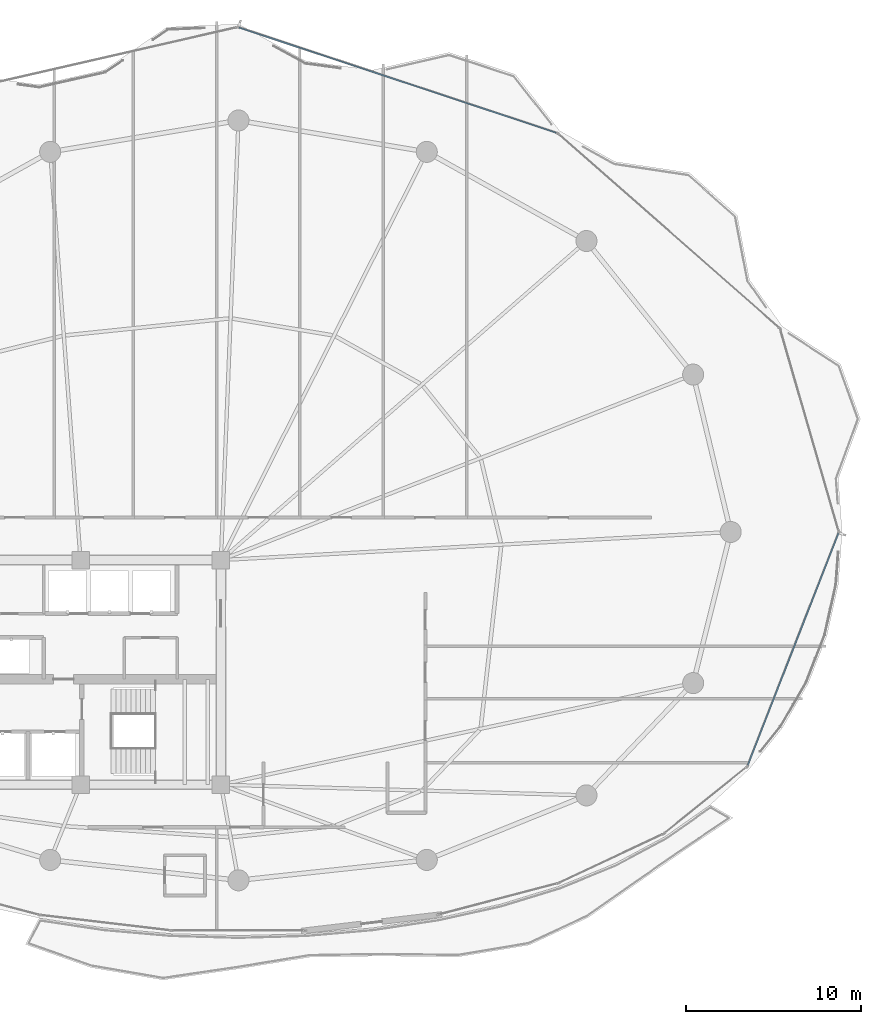
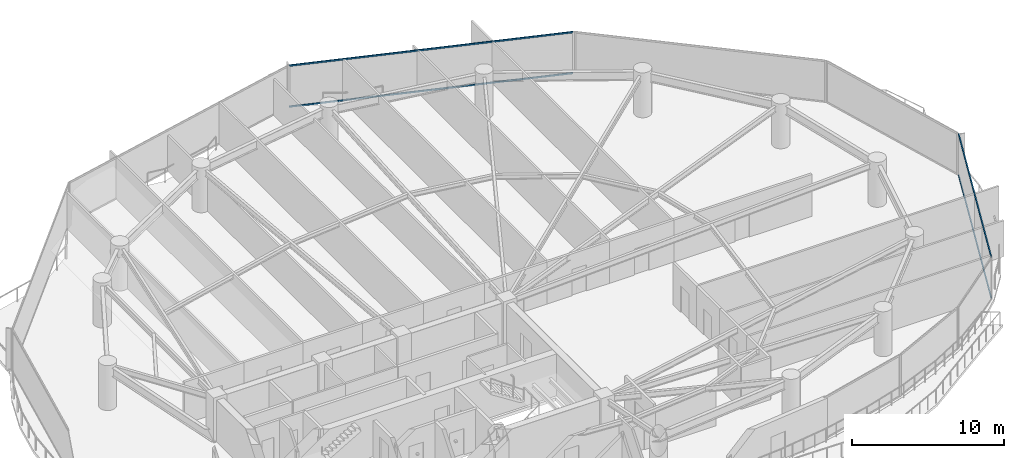
# One storey, part 23 of 34: 4 members, 2 elements without a shape of their own.
"""IFC4 building model written with IfcOpenShell, lengths in metres."""

from ifc_helpers import new_model, si_unit, direction, frame, origin, origin_2d, place, context, subcontext, project, spatial, hollow_rectangle, extrude, material, layer, layer_set, material_profile, profile_set, type_object, element, aggregate, save


model = new_model("IFC4")

# Units and contexts
model_context = context("Model", 3, precision=1e-05, world=origin(), true_north=direction((0.0, 1.0)))
body_context = subcontext(model_context, "Body", "Model", "MODEL_VIEW")
ifc_project = project(units=[si_unit("LENGTHUNIT", "METRE"), si_unit("AREAUNIT", "SQUARE_METRE"), si_unit("VOLUMEUNIT", "CUBIC_METRE"), si_unit("PLANEANGLEUNIT", "RADIAN"), si_unit("MASSUNIT", "GRAM", prefix="KILO")], contexts=[model_context])

# Site, building, storey
site_placement = place(None, origin())
site = spatial("IfcSite", under=ifc_project, at=site_placement, CompositionType="ELEMENT")
building_placement = place(site_placement, origin())
building = spatial("IfcBuilding", under=site, at=building_placement, Name="Kazevale Care Tower and Concert Hall", CompositionType="ELEMENT")
storey_placement = place(building_placement, frame((0.0, 0.0, 171.0)))
storey = spatial("IfcBuildingStorey", under=building, at=storey_placement, Name="L45", CompositionType="ELEMENT", Elevation=171.0)

# Curtain wall, members
ifc_material_1 = material(Name="Aluminium 6063-T6 and Low-E Glass", Category="aluminium")
ifc_layer_1 = layer(ifc_material_1, 0.179931640625)
ifc_layer_set_1 = layer_set([ifc_layer_1], Name="Aluminium 6063-T6 and Low-E Glass")
curtain_wall_type_1 = type_object("IfcCurtainWallType", Name="Convex Checkerboard Finned Curtain Wall CW-2", PredefinedType="NOTDEFINED", material=ifc_layer_set_1)
curtain_wall_1_placement = place(storey_placement, origin())
curtain_wall_1 = element("IfcCurtainWall", 1, at=curtain_wall_1_placement, inside=storey, type_object=curtain_wall_type_1, Name="cw:L45:f16", PredefinedType="NOTDEFINED")
ifc_material_2 = material(Name="Aluminium 6063-T6", Category="aluminium")
ifc_material_profile_1 = material_profile(ifc_material_2, hollow_rectangle(XDim=0.074951171875, YDim=0.1201171875, WallThickness=0.00390625, at=origin_2d()), Name="ALU75x120x4")
ifc_profile_set_1 = profile_set([ifc_material_profile_1], Name="Aluminium 6063-T6")
member_type_1 = type_object("IfcMemberType", Name="CW-2 Transom ALU75x120x4", PredefinedType="USERDEFINED", material=ifc_profile_set_1)
member_1_placement = place(storey_placement, frame((45.033935546875, 66.742919921875, 0.03759765625), z_axis=(0.949132363683, -0.314877366938, 0.0), x_axis=(0.314877366938, 0.949132363683, 0.0)))
member_1 = element("IfcMember", 2, at=member_1_placement, type_object=member_type_1, Name="CW-2 transom 1.1", ObjectType="TRANSOM", PredefinedType="USERDEFINED", context=body_context, shape_type="SweptSolid", body=[
    extrude(hollow_rectangle(XDim=0.074951171875, YDim=0.1201171875, WallThickness=0.00390625, at=origin_2d()), origin(), (0.0, 0.0, 1.0), 19.041748046875),
])
member_2_placement = place(storey_placement, frame((45.033935546875, 66.742919921875, 3.322509765625), z_axis=(0.949132363683, -0.314877366938, 0.0), x_axis=(0.314877366938, 0.949132363683, 0.0)))
member_2 = element("IfcMember", 3, at=member_2_placement, type_object=member_type_1, Name="CW-2 transom 1.2", ObjectType="TRANSOM", PredefinedType="USERDEFINED", context=body_context, shape_type="SweptSolid", body=[
    extrude(hollow_rectangle(XDim=0.074951171875, YDim=0.1201171875, WallThickness=0.00390625, at=origin_2d()), origin(), (0.0, 0.0, 1.0), 19.041748046875),
])
aggregate(curtain_wall_1, [member_1, member_2])

ifc_layer_2 = layer(ifc_material_1, 0.179931640625)
ifc_layer_set_2 = layer_set([ifc_layer_2], Name="Aluminium 6063-T6 and Low-E Glass")
curtain_wall_type_2 = type_object("IfcCurtainWallType", Name="Waist & Upper Residential Curtain Wall CW-4", PredefinedType="NOTDEFINED", material=ifc_layer_set_2)
curtain_wall_2_placement = place(storey_placement, origin())
curtain_wall_2 = element("IfcCurtainWall", 4, at=curtain_wall_2_placement, inside=storey, type_object=curtain_wall_type_2, Name="cw:L45:f01", PredefinedType="NOTDEFINED")
ifc_material_profile_2 = material_profile(ifc_material_2, hollow_rectangle(XDim=0.080078125, YDim=0.139892578125, WallThickness=0.00390625, at=origin_2d()), Name="ALU80x140x4")
ifc_profile_set_2 = profile_set([ifc_material_profile_2], Name="Aluminium 6063-T6")
member_type_2 = type_object("IfcMemberType", Name="CW-4 Transom ALU80x140x4", PredefinedType="USERDEFINED", material=ifc_profile_set_2)
member_3_placement = place(storey_placement, frame((79.19091796875, 37.925537109375, 0.0400390625), z_axis=(-0.364119027629, -0.931352421868, 0.0), x_axis=(0.931352421868, -0.364119027629, 0.0)))
member_3 = element("IfcMember", 5, at=member_3_placement, type_object=member_type_2, Name="CW-4 transom 1.1", ObjectType="TRANSOM", PredefinedType="USERDEFINED", context=body_context, shape_type="SweptSolid", body=[
    extrude(hollow_rectangle(XDim=0.080078125, YDim=0.139892578125, WallThickness=0.00390625, at=origin_2d()), origin(), (0.0, 0.0, 1.0), 14.18701171875),
])
member_4_placement = place(storey_placement, frame((79.19091796875, 37.925537109375, 3.320068359375), z_axis=(-0.364119027629, -0.931352421868, 0.0), x_axis=(0.931352421868, -0.364119027629, 0.0)))
member_4 = element("IfcMember", 6, at=member_4_placement, type_object=member_type_2, Name="CW-4 transom 1.2", ObjectType="TRANSOM", PredefinedType="USERDEFINED", context=body_context, shape_type="SweptSolid", body=[
    extrude(hollow_rectangle(XDim=0.080078125, YDim=0.139892578125, WallThickness=0.00390625, at=origin_2d()), origin(), (0.0, 0.0, 1.0), 14.18701171875),
])
aggregate(curtain_wall_2, [member_3, member_4])

save(model, "model.ifc")
